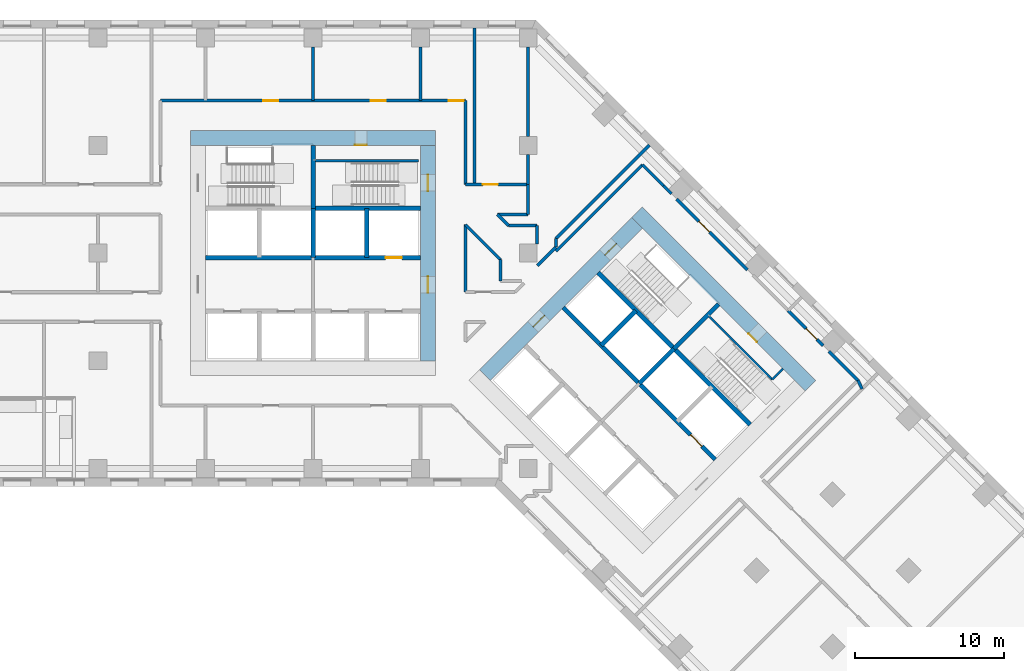
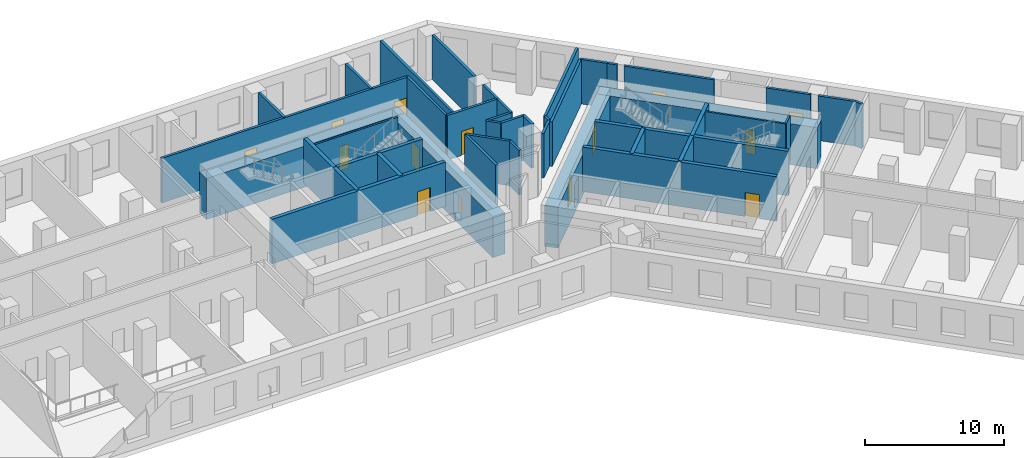
# One storey, part 8 of 12: 44 walls, 14 doors, 14 openings.
"""IFC4 building model written with IfcOpenShell, lengths in metres."""

from ifc_helpers import new_model, si_unit, direction, frame, frame_2d, origin, place, context, subcontext, project, spatial, rectangle, extrude, material, layer, layer_set, type_object, element, fill, save


model = new_model("IFC4")

# Units and contexts
model_context = context("Model", 3, precision=1e-05, world=origin(), true_north=direction((0.0, 1.0)))
body_context = subcontext(model_context, "Body", "Model", "MODEL_VIEW")
ifc_project = project(units=[si_unit("LENGTHUNIT", "METRE"), si_unit("AREAUNIT", "SQUARE_METRE"), si_unit("VOLUMEUNIT", "CUBIC_METRE"), si_unit("PLANEANGLEUNIT", "RADIAN"), si_unit("MASSUNIT", "GRAM", prefix="KILO")], contexts=[model_context])

# Site, building, storey
site_placement = place(None, origin())
site = spatial("IfcSite", under=ifc_project, at=site_placement, CompositionType="ELEMENT")
building_placement = place(site_placement, origin())
building = spatial("IfcBuilding", under=site, at=building_placement, Name="Windrow Commons", CompositionType="ELEMENT")
storey_placement = place(building_placement, frame((0.0, 0.0, 22.8)))
storey = spatial("IfcBuildingStorey", under=building, at=storey_placement, Name="L05", CompositionType="ELEMENT", Elevation=22.8)

# Wall, openings, doors
ifc_material_1 = material(Name="Blockwork partition", Category="masonry")
ifc_layer_1 = layer(ifc_material_1, 0.2)
ifc_layer_set_1 = layer_set([ifc_layer_1], Name="IW-CORRIDOR-200")
wall_type_1 = type_object("IfcWallType", Name="IW-CORRIDOR-200", PredefinedType="PARTITIONING", material=ifc_layer_set_1)
wall_1_placement = place(storey_placement, frame((54.6, 67.8, 0.0), z_axis=(0.0, 0.0, 1.0), x_axis=(1.0, 0.0, 0.0)))
wall_1 = element("IfcWall", 1, at=wall_1_placement, inside=storey, type_object=wall_type_1, Name="W-L05-W004", PredefinedType="PARTITIONING", context=body_context, shape_type="SweptSolid", body=[
    extrude(rectangle(XDim=20.4, YDim=0.2, at=frame_2d((10.2, 0.0))), origin(), (0.0, 0.0, 1.0), 3.9),
])
opening_1_placement = place(wall_1_placement, frame((19.2709, 0.0, 0.0)))
opening_1 = element("IfcOpeningElement", 2, at=opening_1_placement, cuts=wall_1, Name="Opening D310F", PredefinedType="OPENING", context=body_context, shape_type="SweptSolid", body=[
    extrude(rectangle(XDim=1.0, YDim=2.1, at=frame_2d((0.5, 1.05))), frame((0.0, 0.11, 0.0), z_axis=(0.0, -1.0, 0.0), x_axis=(1.0, 0.0, 0.0)), (0.0, 0.0, 1.0), 0.22),
])
opening_2_placement = place(wall_1_placement, frame((6.8625, 0.0, 0.0)))
opening_2 = element("IfcOpeningElement", 3, at=opening_2_placement, cuts=wall_1, Name="Opening D310F", PredefinedType="OPENING", context=body_context, shape_type="SweptSolid", body=[
    extrude(rectangle(XDim=1.0, YDim=2.1, at=frame_2d((0.5, 1.05))), frame((0.0, 0.11, 0.0), z_axis=(0.0, -1.0, 0.0), x_axis=(1.0, 0.0, 0.0)), (0.0, 0.0, 1.0), 0.22),
])
opening_3_placement = place(wall_1_placement, frame((14.0625, 0.0, 0.0)))
opening_3 = element("IfcOpeningElement", 4, at=opening_3_placement, cuts=wall_1, Name="Opening D310F", PredefinedType="OPENING", context=body_context, shape_type="SweptSolid", body=[
    extrude(rectangle(XDim=1.0, YDim=2.1, at=frame_2d((0.5, 1.05))), frame((0.0, 0.11, 0.0), z_axis=(0.0, -1.0, 0.0), x_axis=(1.0, 0.0, 0.0)), (0.0, 0.0, 1.0), 0.22),
])
ifc_material_2 = material(Name="Timber door leaf", Category="wood")
door_type_1 = type_object("IfcDoorType", Name="DT-AMENITY-1000", OperationType="SINGLE_SWING_LEFT", PredefinedType="DOOR", material=ifc_material_2)
door_1_placement = place(opening_1_placement, origin())
door_1 = element("IfcDoor", 5, at=door_1_placement, inside=storey, type_object=door_type_1, Name="D-L05-D027", OperationType="SINGLE_SWING_RIGHT", OverallHeight=2.1, OverallWidth=1.0, PredefinedType="DOOR", context=body_context, shape_type="SweptSolid", body=[
    extrude(rectangle(XDim=1.0, YDim=2.1, at=frame_2d((0.5, 1.05))), frame((0.0, 0.025, 0.0), z_axis=(0.0, -1.0, 0.0), x_axis=(1.0, 0.0, 0.0)), (0.0, 0.0, 1.0), 0.05),
])
fill(opening_1, door_1)
door_2_placement = place(opening_2_placement, origin())
door_2 = element("IfcDoor", 6, at=door_2_placement, inside=storey, type_object=door_type_1, Name="D-L05-D029", OperationType="SINGLE_SWING_RIGHT", OverallHeight=2.1, OverallWidth=1.0, PredefinedType="DOOR", context=body_context, shape_type="SweptSolid", body=[
    extrude(rectangle(XDim=1.0, YDim=2.1, at=frame_2d((0.5, 1.05))), frame((0.0, 0.025, 0.0), z_axis=(0.0, -1.0, 0.0), x_axis=(1.0, 0.0, 0.0)), (0.0, 0.0, 1.0), 0.05),
])
fill(opening_2, door_2)
door_3_placement = place(opening_3_placement, origin())
door_3 = element("IfcDoor", 7, at=door_3_placement, inside=storey, type_object=door_type_1, Name="D-L05-D030", OperationType="SINGLE_SWING_RIGHT", OverallHeight=2.1, OverallWidth=1.0, PredefinedType="DOOR", context=body_context, shape_type="SweptSolid", body=[
    extrude(rectangle(XDim=1.0, YDim=2.1, at=frame_2d((0.5, 1.05))), frame((0.0, 0.025, 0.0), z_axis=(0.0, -1.0, 0.0), x_axis=(1.0, 0.0, 0.0)), (0.0, 0.0, 1.0), 0.05),
])
fill(opening_3, door_3)

# Wall
wall_2_placement = place(storey_placement, frame((81.0512, 57.7308, 0.0), z_axis=(0.0, 0.0, 1.0), x_axis=(0.7071067812, 0.7071067812, 0.0)))
element("IfcWall", 8, at=wall_2_placement, inside=storey, type_object=wall_type_1, Name="W-L05-W034", PredefinedType="PARTITIONING", context=body_context, shape_type="SweptSolid", body=[
    extrude(rectangle(XDim=8.1798, YDim=0.2, at=frame_2d((4.0899, 0.0))), origin(), (0.0, 0.0, 1.0), 3.9),
])

# Wall, opening, door
wall_3_placement = place(storey_placement, frame((89.1305, 61.2145, 0.0), z_axis=(0.0, 0.0, 1.0), x_axis=(0.7071067812, -0.7071067812, 0.0)))
wall_3 = element("IfcWall", 9, at=wall_3_placement, inside=storey, type_object=wall_type_1, Name="W-L05-W039", PredefinedType="PARTITIONING", context=body_context, shape_type="SweptSolid", body=[
    extrude(rectangle(XDim=6.7034, YDim=0.2, at=frame_2d((3.3517, 0.0))), origin(), (0.0, 0.0, 1.0), 3.9),
])
opening_4_placement = place(wall_3_placement, frame((2.1096, 0.0, 0.0)))
opening_4 = element("IfcOpeningElement", 10, at=opening_4_placement, cuts=wall_3, Name="Opening D310F", PredefinedType="OPENING", context=body_context, shape_type="SweptSolid", body=[
    extrude(rectangle(XDim=1.0, YDim=2.1, at=frame_2d((0.5, 1.05))), frame((0.0, 0.11, 0.0), z_axis=(0.0, -1.0, 0.0), x_axis=(1.0, 0.0, 0.0)), (0.0, 0.0, 1.0), 0.22),
])
door_4_placement = place(opening_4_placement, origin())
door_4 = element("IfcDoor", 11, at=door_4_placement, inside=storey, type_object=door_type_1, Name="D-L05-D031", OperationType="SINGLE_SWING_RIGHT", OverallHeight=2.1, OverallWidth=1.0, PredefinedType="DOOR", context=body_context, shape_type="SweptSolid", body=[
    extrude(rectangle(XDim=1.0, YDim=2.1, at=frame_2d((0.5, 1.05))), frame((0.0, 0.025, 0.0), z_axis=(0.0, -1.0, 0.0), x_axis=(1.0, 0.0, 0.0)), (0.0, 0.0, 1.0), 0.05),
])
fill(opening_4, door_4)

# Walls
wall_4_placement = place(storey_placement, frame((75.0, 62.202, 0.0), z_axis=(0.0, 0.0, 1.0), x_axis=(0.0, 1.0, 0.0)))
element("IfcWall", 12, at=wall_4_placement, inside=storey, type_object=wall_type_1, Name="W-L05-W046", PredefinedType="PARTITIONING", context=body_context, shape_type="SweptSolid", body=[
    extrude(rectangle(XDim=5.598, YDim=0.2, at=frame_2d((2.799, 0.0))), origin(), (0.0, 0.0, 1.0), 3.9),
])
wall_5_placement = place(storey_placement, frame((75.0, 55.002, 0.0), z_axis=(0.0, 0.0, 1.0), x_axis=(0.0, 1.0, 0.0)))
element("IfcWall", 13, at=wall_5_placement, inside=storey, type_object=wall_type_1, Name="W-L05-W055", PredefinedType="PARTITIONING", context=body_context, shape_type="SweptSolid", body=[
    extrude(rectangle(XDim=4.508, YDim=0.2, at=frame_2d((2.254, 0.0))), origin(), (0.0, 0.0, 1.0), 3.9),
])

# Wall, opening, door
wall_6_placement = place(storey_placement, frame((75.002, 62.2, 0.0), z_axis=(0.0, 0.0, 1.0), x_axis=(1.0, 0.0, 0.0)))
wall_6 = element("IfcWall", 14, at=wall_6_placement, inside=storey, type_object=wall_type_1, Name="W-L05-W056", PredefinedType="PARTITIONING", context=body_context, shape_type="SweptSolid", body=[
    extrude(rectangle(XDim=4.198, YDim=0.2, at=frame_2d((2.099, 0.0))), origin(), (0.0, 0.0, 1.0), 3.9),
])
opening_5_placement = place(wall_6_placement, frame((1.1655, 0.0, 0.0)))
opening_5 = element("IfcOpeningElement", 15, at=opening_5_placement, cuts=wall_6, Name="Opening D310F", PredefinedType="OPENING", context=body_context, shape_type="SweptSolid", body=[
    extrude(rectangle(XDim=1.0, YDim=2.1, at=frame_2d((0.5, 1.05))), frame((0.0, 0.11, 0.0), z_axis=(0.0, -1.0, 0.0), x_axis=(1.0, 0.0, 0.0)), (0.0, 0.0, 1.0), 0.22),
])
door_5_placement = place(opening_5_placement, origin())
door_5 = element("IfcDoor", 16, at=door_5_placement, inside=storey, type_object=door_type_1, Name="D-L05-D028", OperationType="SINGLE_SWING_LEFT", OverallHeight=2.1, OverallWidth=1.0, PredefinedType="DOOR", context=body_context, shape_type="SweptSolid", body=[
    extrude(rectangle(XDim=1.0, YDim=2.1, at=frame_2d((0.5, 1.05))), frame((0.0, 0.025, 0.0), z_axis=(0.0, -1.0, 0.0), x_axis=(1.0, 0.0, 0.0)), (0.0, 0.0, 1.0), 0.05),
])
fill(opening_5, door_5)

# Wall
wall_7_placement = place(storey_placement, frame((74.9989, 59.5069, 0.0), z_axis=(0.0, 0.0, 1.0), x_axis=(0.7071067812, -0.7071067812, 0.0)))
element("IfcWall", 17, at=wall_7_placement, inside=storey, type_object=wall_type_1, Name="W-L05-W067", PredefinedType="PARTITIONING", context=body_context, shape_type="SweptSolid", body=[
    extrude(rectangle(XDim=3.3206, YDim=0.2, at=frame_2d((1.6603, 0.0))), origin(), (0.0, 0.0, 1.0), 3.9),
])

# Wall, opening, door
wall_8_placement = place(storey_placement, frame((96.5915, 53.7535, 0.0), z_axis=(0.0, 0.0, 1.0), x_axis=(0.7071067812, -0.7071067812, 0.0)))
wall_8 = element("IfcWall", 18, at=wall_8_placement, inside=storey, type_object=wall_type_1, Name="W-L05-W069", PredefinedType="PARTITIONING", context=body_context, shape_type="SweptSolid", body=[
    extrude(rectangle(XDim=3.3177, YDim=0.2, at=frame_2d((1.6588, 0.0))), origin(), (0.0, 0.0, 1.0), 3.9),
])
opening_6_placement = place(wall_8_placement, frame((1.7104, 0.0, 0.0)))
opening_6 = element("IfcOpeningElement", 19, at=opening_6_placement, cuts=wall_8, Name="Opening D310F", PredefinedType="OPENING", context=body_context, shape_type="SweptSolid", body=[
    extrude(rectangle(XDim=1.0, YDim=2.1, at=frame_2d((0.5, 1.05))), frame((0.0, 0.11, 0.0), z_axis=(0.0, -1.0, 0.0), x_axis=(1.0, 0.0, 0.0)), (0.0, 0.0, 1.0), 0.22),
])
door_6_placement = place(opening_6_placement, origin())
door_6 = element("IfcDoor", 20, at=door_6_placement, inside=storey, type_object=door_type_1, Name="D-L05-D032", OperationType="SINGLE_SWING_RIGHT", OverallHeight=2.1, OverallWidth=1.0, PredefinedType="DOOR", context=body_context, shape_type="SweptSolid", body=[
    extrude(rectangle(XDim=1.0, YDim=2.1, at=frame_2d((0.5, 1.05))), frame((0.0, 0.025, 0.0), z_axis=(0.0, -1.0, 0.0), x_axis=(1.0, 0.0, 0.0)), (0.0, 0.0, 1.0), 0.05),
])
fill(opening_6, door_6)

# Walls
wall_9_placement = place(storey_placement, frame((99.3125, 51.0325, 0.0), z_axis=(0.0, 0.0, 1.0), x_axis=(0.7071067812, -0.7071067812, 0.0)))
element("IfcWall", 21, at=wall_9_placement, inside=storey, type_object=wall_type_1, Name="W-L05-W070", PredefinedType="PARTITIONING", context=body_context, shape_type="SweptSolid", body=[
    extrude(rectangle(XDim=2.7521, YDim=0.2, at=frame_2d((1.376, 0.0))), origin(), (0.0, 0.0, 1.0), 3.9),
])
wall_10_placement = place(storey_placement, frame((77.144, 60.2, 0.0), z_axis=(0.0, 0.0, 1.0), x_axis=(1.0, 0.0, 0.0)))
element("IfcWall", 22, at=wall_10_placement, inside=storey, type_object=wall_type_1, Name="W-L05-W074", PredefinedType="PARTITIONING", context=body_context, shape_type="SweptSolid", body=[
    extrude(rectangle(XDim=2.056, YDim=0.2, at=frame_2d((1.028, 0.0))), origin(), (0.0, 0.0, 1.0), 3.9),
])
wall_11_placement = place(storey_placement, frame((79.2, 60.2, 0.0), z_axis=(0.0, 0.0, 1.0), x_axis=(0.0, 1.0, 0.0)))
element("IfcWall", 23, at=wall_11_placement, inside=storey, type_object=wall_type_1, Name="W-L05-W083", PredefinedType="PARTITIONING", context=body_context, shape_type="SweptSolid", body=[
    extrude(rectangle(XDim=2.0, YDim=0.2, at=frame_2d((1.0, 0.0))), origin(), (0.0, 0.0, 1.0), 3.9),
])
wall_12_placement = place(storey_placement, frame((86.8404, 63.5164, 0.0), z_axis=(0.0, 0.0, 1.0), x_axis=(0.7066061748, -0.7076070334, 0.0)))
element("IfcWall", 24, at=wall_12_placement, inside=storey, type_object=wall_type_1, Name="W-L05-W085", PredefinedType="PARTITIONING", context=body_context, shape_type="SweptSolid", body=[
    extrude(rectangle(XDim=1.9983, YDim=0.2, at=frame_2d((0.9991, 0.0))), origin(), (0.0, 0.0, 1.0), 3.9),
])
wall_13_placement = place(storey_placement, frame((77.892, 59.45, 0.0), z_axis=(0.0, 0.0, 1.0), x_axis=(1.0, 0.0, 0.0)))
element("IfcWall", 25, at=wall_13_placement, inside=storey, type_object=wall_type_1, Name="W-L05-W087", PredefinedType="PARTITIONING", context=body_context, shape_type="SweptSolid", body=[
    extrude(rectangle(XDim=1.908, YDim=0.2, at=frame_2d((0.954, 0.0))), origin(), (0.0, 0.0, 1.0), 3.9),
])
wall_14_placement = place(storey_placement, frame((79.8008, 56.7632, 0.0), z_axis=(0.0, 0.0, 1.0), x_axis=(0.7071067812, 0.7071067812, 0.0)))
element("IfcWall", 26, at=wall_14_placement, inside=storey, type_object=wall_type_1, Name="W-L05-W092", PredefinedType="PARTITIONING", context=body_context, shape_type="SweptSolid", body=[
    extrude(rectangle(XDim=1.7649, YDim=0.2, at=frame_2d((0.8824, 0.0))), origin(), (0.0, 0.0, 1.0), 3.9),
])
wall_15_placement = place(storey_placement, frame((77.35, 55.752, 0.0), z_axis=(0.0, 0.0, 1.0), x_axis=(0.0, 1.0, 0.0)))
element("IfcWall", 27, at=wall_15_placement, inside=storey, type_object=wall_type_1, Name="W-L05-W098", PredefinedType="PARTITIONING", context=body_context, shape_type="SweptSolid", body=[
    extrude(rectangle(XDim=1.41, YDim=0.2, at=frame_2d((0.705, 0.0))), origin(), (0.0, 0.0, 1.0), 3.9),
])
wall_16_placement = place(storey_placement, frame((79.8, 58.2, 0.0), z_axis=(0.0, 0.0, 1.0), x_axis=(0.0, 1.0, 0.0)))
element("IfcWall", 28, at=wall_16_placement, inside=storey, type_object=wall_type_1, Name="W-L05-W101", PredefinedType="PARTITIONING", context=body_context, shape_type="SweptSolid", body=[
    extrude(rectangle(XDim=1.25, YDim=0.2, at=frame_2d((0.625, 0.0))), origin(), (0.0, 0.0, 1.0), 3.9),
])
wall_17_placement = place(storey_placement, frame((77.1391, 60.1951, 0.0), z_axis=(0.0, 0.0, 1.0), x_axis=(0.7071067812, -0.7071067812, 0.0)))
element("IfcWall", 29, at=wall_17_placement, inside=storey, type_object=wall_type_1, Name="W-L05-W105", PredefinedType="PARTITIONING", context=body_context, shape_type="SweptSolid", body=[
    extrude(rectangle(XDim=1.0578, YDim=0.2, at=frame_2d((0.5289, 0.0))), origin(), (0.0, 0.0, 1.0), 3.9),
])
wall_18_placement = place(storey_placement, frame((88.2511, 62.1011, 0.0), z_axis=(0.0, 0.0, 1.0), x_axis=(0.7084371761, -0.7057738785, 0.0)))
element("IfcWall", 30, at=wall_18_placement, inside=storey, type_object=wall_type_1, Name="W-L05-W109", PredefinedType="PARTITIONING", context=body_context, shape_type="SweptSolid", body=[
    extrude(rectangle(XDim=0.7509, YDim=0.2, at=frame_2d((0.3755, 0.0))), origin(), (0.0, 0.0, 1.0), 3.9),
])
ifc_material_3 = material(Name="Blockwork partition", Category="masonry")
ifc_layer_2 = layer(ifc_material_3, 0.2)
ifc_layer_set_2 = layer_set([ifc_layer_2], Name="IW-PARTY-200")
wall_type_2 = type_object("IfcWallType", Name="IW-PARTY-200", PredefinedType="PARTITIONING", material=ifc_layer_set_2)
wall_19_placement = place(storey_placement, frame((75.6, 62.2, 0.0), z_axis=(0.0, 0.0, 1.0), x_axis=(0.0, 1.0, 0.0)))
element("IfcWall", 31, at=wall_19_placement, inside=storey, type_object=wall_type_2, Name="W-L05-W026", PredefinedType="PARTITIONING", context=body_context, shape_type="SweptSolid", body=[
    extrude(rectangle(XDim=10.45, YDim=0.2, at=frame_2d((5.225, 0.0))), origin(), (0.0, 0.0, 1.0), 3.9),
])
wall_20_placement = place(storey_placement, frame((81.0489, 58.5771, 0.0), z_axis=(0.0, 0.0, 1.0), x_axis=(0.7071124411, 0.7071011213, 0.0)))
element("IfcWall", 32, at=wall_20_placement, inside=storey, type_object=wall_type_2, Name="W-L05-W033", PredefinedType="PARTITIONING", context=body_context, shape_type="SweptSolid", body=[
    extrude(rectangle(XDim=8.8341, YDim=0.2, at=frame_2d((4.417, 0.0))), origin(), (0.0, 0.0, 1.0), 3.9),
])
wall_21_placement = place(storey_placement, frame((79.2, 65.4, 0.0), z_axis=(0.0, 0.0, 1.0), x_axis=(0.0, 1.0, 0.0)))
element("IfcWall", 33, at=wall_21_placement, inside=storey, type_object=wall_type_2, Name="W-L05-W041", PredefinedType="PARTITIONING", context=body_context, shape_type="SweptSolid", body=[
    extrude(rectangle(XDim=6.0, YDim=0.2, at=frame_2d((3.0, 0.0))), origin(), (0.0, 0.0, 1.0), 3.9),
])
for number, where, z_axis, x_axis, name in (
    (34, (64.8, 67.8, 0.0), (0.0, 0.0, 1.0), (0.0, 1.0, 0.0), "W-L05-W058"),
    (35, (72.0, 67.8, 0.0), (0.0, 0.0, 1.0), (0.0, 1.0, 0.0), "W-L05-W059"),
):
    element("IfcWall", number, at=place(storey_placement, frame(where, z_axis=z_axis, x_axis=x_axis)), inside=storey, type_object=wall_type_2, Name=name, PredefinedType="PARTITIONING", context=body_context, shape_type="SweptSolid", body=[
        extrude(rectangle(XDim=3.6, YDim=0.2, at=frame_2d((1.8, 0.0))), origin(), (0.0, 0.0, 1.0), 3.9),
    ])
wall_22_placement = place(storey_placement, frame((79.2, 62.2, 0.0), z_axis=(0.0, 0.0, 1.0), x_axis=(0.0, 1.0, 0.0)))
element("IfcWall", 36, at=wall_22_placement, inside=storey, type_object=wall_type_2, Name="W-L05-W082", PredefinedType="PARTITIONING", context=body_context, shape_type="SweptSolid", body=[
    extrude(rectangle(XDim=2.0, YDim=0.2, at=frame_2d((1.0, 0.0))), origin(), (0.0, 0.0, 1.0), 3.9),
])
wall_23_placement = place(storey_placement, frame((101.264, 49.091, 0.0), z_axis=(0.0, 0.0, 1.0), x_axis=(0.4270063054, -0.9042486467, 0.0)))
element("IfcWall", 37, at=wall_23_placement, inside=storey, type_object=wall_type_2, Name="W-L05-W110", PredefinedType="PARTITIONING", context=body_context, shape_type="SweptSolid", body=[
    extrude(rectangle(XDim=0.637, YDim=0.2, at=frame_2d((0.3185, 0.0))), origin(), (0.0, 0.0, 1.0), 3.9),
])
wall_24_placement = place(storey_placement, frame((81.05, 58.01, 0.0), z_axis=(0.0, 0.0, 1.0), x_axis=(0.0, 1.0, 0.0)))
element("IfcWall", 38, at=wall_24_placement, inside=storey, type_object=wall_type_2, Name="W-L05-W111", PredefinedType="PARTITIONING", context=body_context, shape_type="SweptSolid", body=[
    extrude(rectangle(XDim=0.566, YDim=0.2, at=frame_2d((0.283, 0.0))), origin(), (0.0, 0.0, 1.0), 3.9),
])

# Wall, opening, door
ifc_material_4 = material(Name="Concrete C60/75", Category="concrete")
ifc_layer_3 = layer(ifc_material_4, 1.0)
ifc_layer_set_3 = layer_set([ifc_layer_3], Name="RC CORE WALL 1000 C60/75")
wall_type_3 = type_object("IfcWallType", Name="RC CORE WALL 1000 C60/75", PredefinedType="SHEAR", material=ifc_layer_set_3)
wall_25_placement = place(storey_placement, frame((56.6, 65.3, -0.4), z_axis=(0.0, 0.0, 1.0), x_axis=(1.0, 0.0, 0.0)))
wall_25 = element("IfcWall", 39, at=wall_25_placement, inside=storey, type_object=wall_type_3, Name="Core A wall outer-N", PredefinedType="SHEAR", context=body_context, shape_type="SweptSolid", body=[
    extrude(rectangle(XDim=16.4, YDim=1.0, at=frame_2d((8.2, 0.0))), origin(), (0.0, 0.0, 1.0), 3.6),
])
opening_7_placement = place(wall_25_placement, frame((11.0, 0.0, 0.4)))
opening_7 = element("IfcOpeningElement", 40, at=opening_7_placement, cuts=wall_25, Name="Opening D9", PredefinedType="OPENING", context=body_context, shape_type="SweptSolid", body=[
    extrude(rectangle(XDim=0.8, YDim=2.1, at=frame_2d((0.4, 1.05))), frame((0.0, 0.51, 0.0), z_axis=(0.0, -1.0, 0.0), x_axis=(1.0, 0.0, 0.0)), (0.0, 0.0, 1.0), 1.02),
])
ifc_material_5 = material(Name="Steel fire door leaf", Category="steel")
door_type_2 = type_object("IfcDoorType", Name="Riser access door 800", OperationType="SINGLE_SWING_LEFT", PredefinedType="DOOR", material=ifc_material_5)
door_7_placement = place(opening_7_placement, origin())
door_7 = element("IfcDoor", 41, at=door_7_placement, inside=storey, type_object=door_type_2, Name="Riser access door", OperationType="SINGLE_SWING_RIGHT", OverallHeight=2.1, OverallWidth=0.8, PredefinedType="DOOR", context=body_context, shape_type="SweptSolid", body=[
    extrude(rectangle(XDim=0.8, YDim=2.1, at=frame_2d((0.4, 1.05))), frame((0.0, -0.44, 0.0), z_axis=(0.0, -1.0, 0.0), x_axis=(1.0, 0.0, 0.0)), (0.0, 0.0, 1.0), 0.05),
])
fill(opening_7, door_7)

# Wall, openings, doors
wall_26_placement = place(storey_placement, frame((72.5, 50.4, -0.4), z_axis=(0.0, 0.0, 1.0), x_axis=(0.0, 1.0, 0.0)))
wall_26 = element("IfcWall", 42, at=wall_26_placement, inside=storey, type_object=wall_type_3, Name="Core A wall outer-E", PredefinedType="SHEAR", context=body_context, shape_type="SweptSolid", body=[
    extrude(rectangle(XDim=14.4, YDim=1.0, at=frame_2d((7.2, 0.0))), origin(), (0.0, 0.0, 1.0), 3.6),
])
opening_8_placement = place(wall_26_placement, frame((4.55, 0.0, 0.4)))
opening_8 = element("IfcOpeningElement", 43, at=opening_8_placement, cuts=wall_26, Name="Opening D6", PredefinedType="OPENING", context=body_context, shape_type="SweptSolid", body=[
    extrude(rectangle(XDim=1.1, YDim=2.1, at=frame_2d((0.55, 1.05))), frame((0.0, 0.51, 0.0), z_axis=(0.0, -1.0, 0.0), x_axis=(1.0, 0.0, 0.0)), (0.0, 0.0, 1.0), 1.02),
])
opening_9_placement = place(wall_26_placement, frame((11.35, 0.0, 0.4)))
opening_9 = element("IfcOpeningElement", 44, at=opening_9_placement, cuts=wall_26, Name="Opening D7", PredefinedType="OPENING", context=body_context, shape_type="SweptSolid", body=[
    extrude(rectangle(XDim=1.1, YDim=2.1, at=frame_2d((0.55, 1.05))), frame((0.0, 0.51, 0.0), z_axis=(0.0, -1.0, 0.0), x_axis=(1.0, 0.0, 0.0)), (0.0, 0.0, 1.0), 1.02),
])
ifc_material_6 = material(Name="Steel fire door leaf", Category="steel")
door_type_3 = type_object("IfcDoorType", Name="Core lobby door 1100", OperationType="SINGLE_SWING_LEFT", PredefinedType="DOOR", material=ifc_material_6)
door_8_placement = place(opening_8_placement, origin())
door_8 = element("IfcDoor", 45, at=door_8_placement, inside=storey, type_object=door_type_3, Name="Lift lobby door", OperationType="DOUBLE_DOOR_SINGLE_SWING", OverallHeight=2.1, OverallWidth=1.1, PredefinedType="DOOR", context=body_context, shape_type="SweptSolid", body=[
    extrude(rectangle(XDim=1.1, YDim=2.1, at=frame_2d((0.55, 1.05))), frame((0.0, 0.025, 0.0), z_axis=(0.0, -1.0, 0.0), x_axis=(1.0, 0.0, 0.0)), (0.0, 0.0, 1.0), 0.05),
])
fill(opening_8, door_8)
ifc_material_7 = material(Name="Steel fire door leaf", Category="steel")
door_type_4 = type_object("IfcDoorType", Name="Stair door 1100", OperationType="SINGLE_SWING_LEFT", PredefinedType="DOOR", material=ifc_material_7)
door_9_placement = place(opening_9_placement, origin())
door_9 = element("IfcDoor", 46, at=door_9_placement, inside=storey, type_object=door_type_4, Name="Stair door", OperationType="SINGLE_SWING_RIGHT", OverallHeight=2.1, OverallWidth=1.1, PredefinedType="DOOR", context=body_context, shape_type="SweptSolid", body=[
    extrude(rectangle(XDim=1.1, YDim=2.1, at=frame_2d((0.55, 1.05))), frame((0.0, 0.025, 0.0), z_axis=(0.0, -1.0, 0.0), x_axis=(1.0, 0.0, 0.0)), (0.0, 0.0, 1.0), 0.05),
])
fill(opening_9, door_9)

# Wall, opening, door
wall_27_placement = place(storey_placement, frame((86.4832, 60.3327, -0.4), z_axis=(0.0, 0.0, 1.0), x_axis=(0.70710983, -0.7071037324, 0.0)))
wall_27 = element("IfcWall", 47, at=wall_27_placement, inside=storey, type_object=wall_type_3, Name="Core B wall outer-N", PredefinedType="SHEAR", context=body_context, shape_type="SweptSolid", body=[
    extrude(rectangle(XDim=16.4, YDim=1.0, at=frame_2d((8.2, 0.0))), origin(), (0.0, 0.0, 1.0), 3.6),
])
opening_10_placement = place(wall_27_placement, frame((11.0, 0.0, 0.4)))
opening_10 = element("IfcOpeningElement", 48, at=opening_10_placement, cuts=wall_27, Name="Opening D9", PredefinedType="OPENING", context=body_context, shape_type="SweptSolid", body=[
    extrude(rectangle(XDim=0.8, YDim=2.1, at=frame_2d((0.4, 1.05))), frame((0.0, 0.51, 0.0), z_axis=(0.0, -1.0, 0.0), x_axis=(1.0, 0.0, 0.0)), (0.0, 0.0, 1.0), 1.02),
])
door_10_placement = place(opening_10_placement, origin())
door_10 = element("IfcDoor", 49, at=door_10_placement, inside=storey, type_object=door_type_2, Name="Riser access door", OperationType="SINGLE_SWING_RIGHT", OverallHeight=2.1, OverallWidth=0.8, PredefinedType="DOOR", context=body_context, shape_type="SweptSolid", body=[
    extrude(rectangle(XDim=0.8, YDim=2.1, at=frame_2d((0.4, 1.05))), frame((0.0, -0.44, 0.0), z_axis=(0.0, -1.0, 0.0), x_axis=(1.0, 0.0, 0.0)), (0.0, 0.0, 1.0), 0.05),
])
fill(opening_10, door_10)

# Wall, openings, doors
wall_28_placement = place(storey_placement, frame((76.3009, 49.4433, -0.4), z_axis=(0.0, 0.0, 1.0), x_axis=(0.7071067812, 0.7071067812, 0.0)))
wall_28 = element("IfcWall", 50, at=wall_28_placement, inside=storey, type_object=wall_type_3, Name="Core B wall outer-W", PredefinedType="SHEAR", context=body_context, shape_type="SweptSolid", body=[
    extrude(rectangle(XDim=14.3999, YDim=1.0, at=frame_2d((7.2, 0.0))), origin(), (0.0, 0.0, 1.0), 3.6),
])
opening_11_placement = place(wall_28_placement, frame((4.55, 0.0, 0.4)))
opening_11 = element("IfcOpeningElement", 51, at=opening_11_placement, cuts=wall_28, Name="Opening D6", PredefinedType="OPENING", context=body_context, shape_type="SweptSolid", body=[
    extrude(rectangle(XDim=1.1, YDim=2.1, at=frame_2d((0.55, 1.05))), frame((0.0, 0.51, 0.0), z_axis=(0.0, -1.0, 0.0), x_axis=(1.0, 0.0, 0.0)), (0.0, 0.0, 1.0), 1.02),
])
opening_12_placement = place(wall_28_placement, frame((11.35, 0.0, 0.4)))
opening_12 = element("IfcOpeningElement", 52, at=opening_12_placement, cuts=wall_28, Name="Opening D7", PredefinedType="OPENING", context=body_context, shape_type="SweptSolid", body=[
    extrude(rectangle(XDim=1.1, YDim=2.1, at=frame_2d((0.55, 1.05))), frame((0.0, 0.51, 0.0), z_axis=(0.0, -1.0, 0.0), x_axis=(1.0, 0.0, 0.0)), (0.0, 0.0, 1.0), 1.02),
])
door_11_placement = place(opening_11_placement, origin())
door_11 = element("IfcDoor", 53, at=door_11_placement, inside=storey, type_object=door_type_3, Name="Lift lobby door", OperationType="DOUBLE_DOOR_SINGLE_SWING", OverallHeight=2.1, OverallWidth=1.1, PredefinedType="DOOR", context=body_context, shape_type="SweptSolid", body=[
    extrude(rectangle(XDim=1.1, YDim=2.1, at=frame_2d((0.55, 1.05))), frame((0.0, 0.025, 0.0), z_axis=(0.0, -1.0, 0.0), x_axis=(1.0, 0.0, 0.0)), (0.0, 0.0, 1.0), 0.05),
])
fill(opening_11, door_11)
door_12_placement = place(opening_12_placement, origin())
door_12 = element("IfcDoor", 54, at=door_12_placement, inside=storey, type_object=door_type_4, Name="Stair door", OperationType="SINGLE_SWING_LEFT", OverallHeight=2.1, OverallWidth=1.1, PredefinedType="DOOR", context=body_context, shape_type="SweptSolid", body=[
    extrude(rectangle(XDim=1.1, YDim=2.1, at=frame_2d((0.55, 1.05))), frame((0.0, 0.025, 0.0), z_axis=(0.0, -1.0, 0.0), x_axis=(1.0, 0.0, 0.0)), (0.0, 0.0, 1.0), 0.05),
])
fill(opening_12, door_12)

# Walls
ifc_material_8 = material(Name="Concrete C60/75", Category="concrete")
ifc_layer_4 = layer(ifc_material_8, 0.3)
ifc_layer_set_4 = layer_set([ifc_layer_4], Name="RC SHAFT WALL 300 C60/75")
wall_type_4 = type_object("IfcWallType", Name="RC SHAFT WALL 300 C60/75", PredefinedType="SOLIDWALL", material=ifc_layer_set_4)
for number, where, z_axis, x_axis, name in (
    (55, (64.8, 57.3, 0.0), (0.0, 0.0, 1.0), (0.0, 1.0, 0.0), "Core A wall shaft-N2"),
    (56, (68.4, 57.3, 0.0), (0.0, 0.0, 1.0), (0.0, 1.0, 0.0), "Core A wall shaft-N3"),
):
    element("IfcWall", number, at=place(storey_placement, frame(where, z_axis=z_axis, x_axis=x_axis)), inside=storey, type_object=wall_type_4, Name=name, PredefinedType="SOLIDWALL", context=body_context, shape_type="SweptSolid", body=[
        extrude(rectangle(XDim=3.3, YDim=0.3, at=frame_2d((1.65, 0.0))), origin(), (0.0, 0.0, 1.0), 3.9),
    ])

# Wall, opening, door
wall_29_placement = place(storey_placement, frame((57.6, 57.3, 0.0), z_axis=(0.0, 0.0, 1.0), x_axis=(1.0, 0.0, 0.0)))
wall_29 = element("IfcWall", 57, at=wall_29_placement, inside=storey, type_object=wall_type_4, Name="Core A wall lobby-N", PredefinedType="SOLIDWALL", context=body_context, shape_type="SweptSolid", body=[
    extrude(rectangle(XDim=14.4, YDim=0.3, at=frame_2d((7.2, 0.0))), origin(), (0.0, 0.0, 1.0), 3.9),
])
opening_13_placement = place(wall_29_placement, frame((12.05, 0.0, 0.0)))
opening_13 = element("IfcOpeningElement", 58, at=opening_13_placement, cuts=wall_29, Name="Opening LD", PredefinedType="OPENING", context=body_context, shape_type="SweptSolid", body=[
    extrude(rectangle(XDim=1.1, YDim=2.1, at=frame_2d((0.55, 1.05))), frame((0.0, 0.16, 0.0), z_axis=(0.0, -1.0, 0.0), x_axis=(1.0, 0.0, 0.0)), (0.0, 0.0, 1.0), 0.32),
])
ifc_material_9 = material(Name="Stainless steel door leaf", Category="steel")
door_type_5 = type_object("IfcDoorType", Name="Lift landing door 1100", OperationType="SLIDING_TO_LEFT", PredefinedType="DOOR", material=ifc_material_9)
door_13_placement = place(opening_13_placement, origin())
door_13 = element("IfcDoor", 59, at=door_13_placement, inside=storey, type_object=door_type_5, Name="Lift landing door", OperationType="SLIDING_TO_RIGHT", OverallHeight=2.1, OverallWidth=1.1, PredefinedType="DOOR", context=body_context, shape_type="SweptSolid", body=[
    extrude(rectangle(XDim=1.1, YDim=2.1, at=frame_2d((0.55, 1.05))), frame((0.0, 0.025, 0.0), z_axis=(0.0, -1.0, 0.0), x_axis=(1.0, 0.0, 0.0)), (0.0, 0.0, 1.0), 0.05),
])
fill(opening_13, door_13)

# Walls
wall_30_placement = place(storey_placement, frame((64.8, 60.6, 0.0), z_axis=(0.0, 0.0, 1.0), x_axis=(1.0, 0.0, 0.0)))
element("IfcWall", 60, at=wall_30_placement, inside=storey, type_object=wall_type_4, Name="Core A wall stair-S2", PredefinedType="SOLIDWALL", context=body_context, shape_type="SweptSolid", body=[
    extrude(rectangle(XDim=7.2, YDim=0.3, at=frame_2d((3.6, 0.0))), origin(), (0.0, 0.0, 1.0), 3.9),
])
wall_31_placement = place(storey_placement, frame((64.8, 60.6, 0.0), z_axis=(0.0, 0.0, 1.0), x_axis=(0.0, 1.0, 0.0)))
element("IfcWall", 61, at=wall_31_placement, inside=storey, type_object=wall_type_4, Name="Core A wall stair-mid", PredefinedType="SOLIDWALL", context=body_context, shape_type="SweptSolid", body=[
    extrude(rectangle(XDim=4.2, YDim=0.3, at=frame_2d((2.1, 0.0))), origin(), (0.0, 0.0, 1.0), 3.9),
])
wall_32_placement = place(storey_placement, frame((84.079, 51.4232, 0.0), z_axis=(0.0, 0.0, 1.0), x_axis=(0.7071219326, 0.7070916295, 0.0)))
element("IfcWall", 62, at=wall_32_placement, inside=storey, type_object=wall_type_4, Name="Core B wall shaft-N1", PredefinedType="SOLIDWALL", context=body_context, shape_type="SweptSolid", body=[
    extrude(rectangle(XDim=3.3, YDim=0.3, at=frame_2d((1.65, 0.0))), origin(), (0.0, 0.0, 1.0), 3.9),
])
wall_33_placement = place(storey_placement, frame((86.6246, 48.8776, 0.0), z_axis=(0.0, 0.0, 1.0), x_axis=(0.7071067812, 0.7071067812, 0.0)))
element("IfcWall", 63, at=wall_33_placement, inside=storey, type_object=wall_type_4, Name="Core B wall shaft-N2", PredefinedType="SOLIDWALL", context=body_context, shape_type="SweptSolid", body=[
    extrude(rectangle(XDim=3.3001, YDim=0.3, at=frame_2d((1.6501, 0.0))), origin(), (0.0, 0.0, 1.0), 3.9),
])

# Wall, opening, door
wall_34_placement = place(storey_placement, frame((81.5335, 53.9688, 0.0), z_axis=(0.0, 0.0, 1.0), x_axis=(0.707103309, -0.7071102534, 0.0)))
wall_34 = element("IfcWall", 64, at=wall_34_placement, inside=storey, type_object=wall_type_4, Name="Core B wall lobby-N", PredefinedType="SOLIDWALL", context=body_context, shape_type="SweptSolid", body=[
    extrude(rectangle(XDim=14.4, YDim=0.3, at=frame_2d((7.2, 0.0))), origin(), (0.0, 0.0, 1.0), 3.9),
])
opening_14_placement = place(wall_34_placement, frame((12.05, 0.0, 0.0)))
opening_14 = element("IfcOpeningElement", 65, at=opening_14_placement, cuts=wall_34, Name="Opening LD", PredefinedType="OPENING", context=body_context, shape_type="SweptSolid", body=[
    extrude(rectangle(XDim=1.1, YDim=2.1, at=frame_2d((0.55, 1.05))), frame((0.0, 0.16, 0.0), z_axis=(0.0, -1.0, 0.0), x_axis=(1.0, 0.0, 0.0)), (0.0, 0.0, 1.0), 0.32),
])
door_14_placement = place(opening_14_placement, origin())
door_14 = element("IfcDoor", 66, at=door_14_placement, inside=storey, type_object=door_type_5, Name="Lift landing door", OperationType="SLIDING_TO_RIGHT", OverallHeight=2.1, OverallWidth=1.1, PredefinedType="DOOR", context=body_context, shape_type="SweptSolid", body=[
    extrude(rectangle(XDim=1.1, YDim=2.1, at=frame_2d((0.55, 1.05))), frame((0.0, 0.025, 0.0), z_axis=(0.0, -1.0, 0.0), x_axis=(1.0, 0.0, 0.0)), (0.0, 0.0, 1.0), 0.05),
])
fill(opening_14, door_14)

# Walls
for number, where, z_axis, x_axis, name in (
    (67, (83.8669, 56.3022, 0.0), (0.0, 0.0, 1.0), (0.7071137256, -0.7070998367, 0.0), "Core B wall stair-S"),
    (68, (88.9581, 51.2111, 0.0), (0.0, 0.0, 1.0), (0.7070998367, -0.7071137256, 0.0), "Core B wall stair-S2"),
):
    element("IfcWall", number, at=place(storey_placement, frame(where, z_axis=z_axis, x_axis=x_axis)), inside=storey, type_object=wall_type_4, Name=name, PredefinedType="SOLIDWALL", context=body_context, shape_type="SweptSolid", body=[
        extrude(rectangle(XDim=7.2, YDim=0.3, at=frame_2d((3.6, 0.0))), origin(), (0.0, 0.0, 1.0), 3.9),
    ])
wall_35_placement = place(storey_placement, frame((88.9581, 51.2111, 0.0), z_axis=(0.0, 0.0, 1.0), x_axis=(0.7071067812, 0.7071067812, 0.0)))
element("IfcWall", 69, at=wall_35_placement, inside=storey, type_object=wall_type_4, Name="Core B wall stair-mid", PredefinedType="SOLIDWALL", context=body_context, shape_type="SweptSolid", body=[
    extrude(rectangle(XDim=4.1999, YDim=0.3, at=frame_2d((2.1, 0.0))), origin(), (0.0, 0.0, 1.0), 3.9),
])
ifc_material_10 = material(Name="Blockwork partition", Category="masonry")
ifc_layer_5 = layer(ifc_material_10, 0.15)
ifc_layer_set_5 = layer_set([ifc_layer_5], Name="Riser partition 150")
wall_type_5 = type_object("IfcWallType", Name="Riser partition 150", PredefinedType="PARTITIONING", material=ifc_layer_set_5)
wall_36_placement = place(storey_placement, frame((64.95, 63.78, 0.0), z_axis=(0.0, 0.0, 1.0), x_axis=(1.0, 0.0, 0.0)))
element("IfcWall", 70, at=wall_36_placement, inside=storey, type_object=wall_type_5, Name="W-core-strip-A-L05", PredefinedType="PARTITIONING", context=body_context, shape_type="SweptSolid", body=[
    extrude(rectangle(XDim=6.9, YDim=0.15, at=frame_2d((3.45, 0.0))), origin(), (0.0, 0.0, 1.0), 3.9),
])
wall_37_placement = place(storey_placement, frame((91.3127, 53.3536, 0.0), z_axis=(0.0, 0.0, 1.0), x_axis=(0.7071067812, -0.7071067812, 0.0)))
element("IfcWall", 71, at=wall_37_placement, inside=storey, type_object=wall_type_5, Name="W-core-strip-B-L05", PredefinedType="PARTITIONING", context=body_context, shape_type="SweptSolid", body=[
    extrude(rectangle(XDim=5.95, YDim=0.15, at=frame_2d((2.975, 0.0))), origin(), (0.0, 0.0, 1.0), 3.9),
])
wall_38_placement = place(storey_placement, frame((95.52, 49.1463, 0.0), z_axis=(0.0, 0.0, 1.0), x_axis=(0.7071067812, 0.7071067812, 0.0)))
element("IfcWall", 72, at=wall_38_placement, inside=storey, type_object=wall_type_5, Name="W-core-stripx-B-L05-1", PredefinedType="PARTITIONING", context=body_context, shape_type="SweptSolid", body=[
    extrude(rectangle(XDim=1.0201, YDim=0.15, at=frame_2d((0.5101, 0.0))), origin(), (0.0, 0.0, 1.0), 3.9),
])

save(model, "model.ifc")
